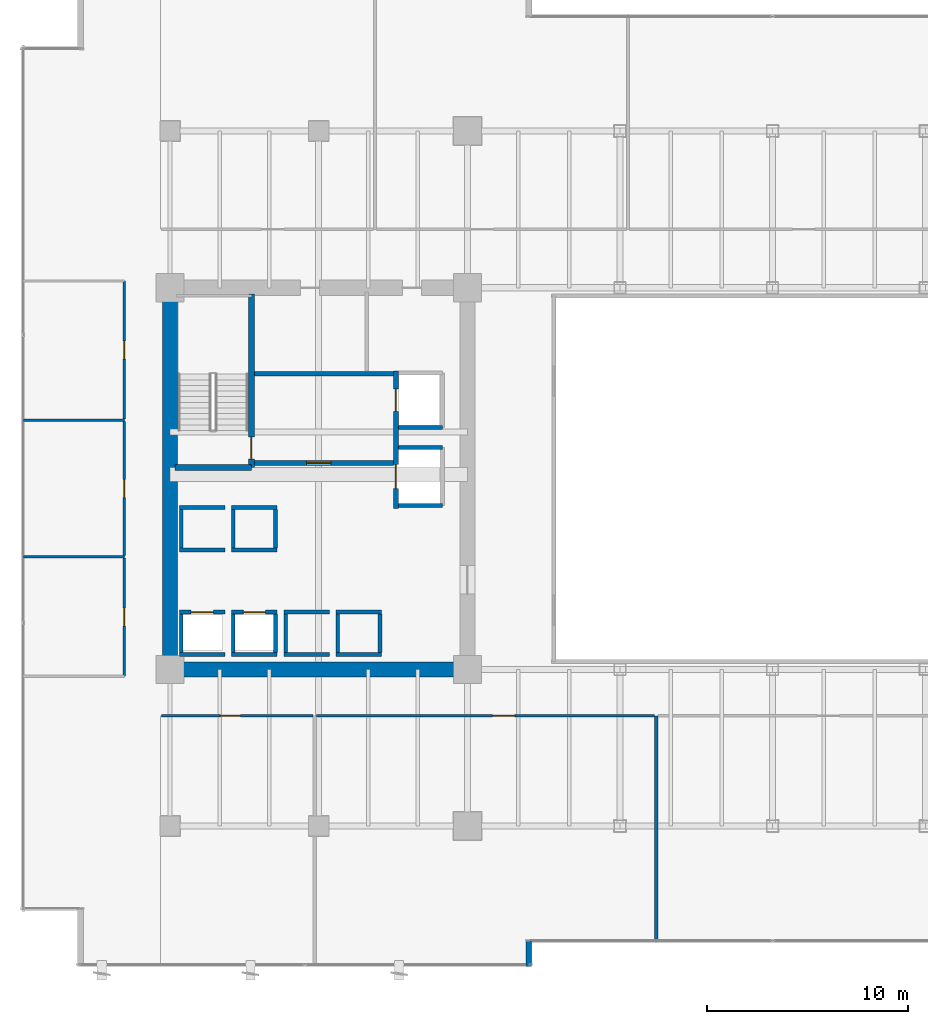
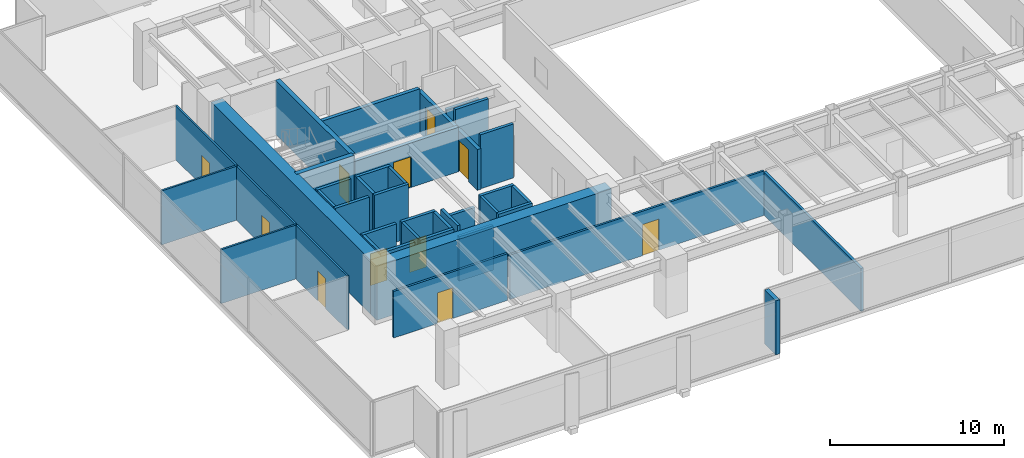
# One storey, part 29 of 37: 40 walls, 11 doors, 11 openings.
"""IFC4 building model written with IfcOpenShell, lengths in metres."""

from ifc_helpers import new_model, si_unit, direction, frame, frame_2d, origin, place, context, subcontext, project, spatial, rectangle, extrude, source, transform, mapped, material, layer, layer_set, type_object, type_shapes, element, fill, save


model = new_model("IFC4")

# Units and contexts
model_context = context("Model", 3, precision=1e-05, world=origin(), true_north=direction((0.0, 1.0)))
body_context = subcontext(model_context, "Body", "Model", "MODEL_VIEW")
ifc_project = project(units=[si_unit("LENGTHUNIT", "METRE"), si_unit("AREAUNIT", "SQUARE_METRE"), si_unit("VOLUMEUNIT", "CUBIC_METRE"), si_unit("PLANEANGLEUNIT", "RADIAN"), si_unit("MASSUNIT", "GRAM", prefix="KILO")], contexts=[model_context])

# Site, building, storey
site_placement = place(None, origin())
site = spatial("IfcSite", under=ifc_project, at=site_placement, CompositionType="ELEMENT")
building_placement = place(site_placement, origin())
building = spatial("IfcBuilding", under=site, at=building_placement, Name="Haelvirn Gate Laboratories", CompositionType="ELEMENT")
storey_placement = place(building_placement, frame((0.0, 0.0, 74.39990234375)))
storey = spatial("IfcBuildingStorey", under=building, at=storey_placement, Name="L18", CompositionType="ELEMENT", Elevation=74.39990234375)

# Walls
ifc_material_1 = material(Name="Thermally-broken bronze aluminium rainscreen & mineral wool", Category="aluminium")
ifc_layer_1 = layer(ifc_material_1, 0.280029296875, Name="EW-TERR-280")
ifc_layer_set_1 = layer_set([ifc_layer_1], Name="Thermally-broken bronze aluminium rainscreen & mineral wool")
wall_type_1 = type_object("IfcWallType", Name="EW-TERR-280", PredefinedType="STANDARD", material=ifc_layer_set_1)
wall_1_placement = place(storey_placement, frame((25.260009765625, 0.0, 0.0), z_axis=(0.0, 0.0, 1.0), x_axis=(0.0, 1.0, 0.0)))
element("IfcWall", 1, at=wall_1_placement, inside=storey, type_object=wall_type_1, Name="L18 Atrium Recess Bronze Return Wall 01", PredefinedType="STANDARD", context=body_context, shape_type="SweptSolid", body=[
    extrude(rectangle(XDim=1.2880859375, YDim=0.280029296875, at=frame_2d((0.64404296875, 0.0))), origin(), (0.0, 0.0, 1.0), 3.780029296875),
])
ifc_material_2 = material(Name="Double-layer acoustic gypsum laboratory partition", Category="gypsum")
ifc_layer_2 = layer(ifc_material_2, 0.159912109375, Name="IW-ACOUST-160")
ifc_layer_set_2 = layer_set([ifc_layer_2], Name="Double-layer acoustic gypsum laboratory partition")
wall_type_2 = type_object("IfcWallType", Name="IW-ACOUST-160", PredefinedType="PARTITIONING", material=ifc_layer_set_2)
wall_2_placement = place(storey_placement, frame((31.60009765625, 1.31005859375, 0.0), z_axis=(0.0, 0.0, 1.0), x_axis=(0.0, 1.0, 0.0)))
element("IfcWall", 2, at=wall_2_placement, inside=storey, type_object=wall_type_2, Name="L18 Interior Wall IW-L18-SDIV-02", PredefinedType="PARTITIONING", context=body_context, shape_type="SweptSolid", body=[
    extrude(rectangle(XDim=11.179931640625, YDim=0.159912109375, at=frame_2d((5.58984375, 0.0))), origin(), (0.0, 0.0, 1.0), 3.01513671875),
])

# Wall, opening, door
ifc_material_3 = material(Name="Lightweight acoustic gypsum board partition", Category="gypsum")
ifc_layer_3 = layer(ifc_material_3, 0.1201171875, Name="IW-PART-120")
ifc_layer_set_3 = layer_set([ifc_layer_3], Name="Lightweight acoustic gypsum board partition")
wall_type_3 = type_object("IfcWallType", Name="IW-PART-120", PredefinedType="PARTITIONING", material=ifc_layer_set_3)
wall_3_placement = place(storey_placement, frame((5.1298828125, 14.465087890625, 0.0), z_axis=(0.0, 0.0, 1.0), x_axis=(0.0, 1.0, 0.0)))
wall_3 = element("IfcWall", 3, at=wall_3_placement, inside=storey, type_object=wall_type_3, Name="L18 Interior Wall IW-L18-WPASS-01", PredefinedType="PARTITIONING", context=body_context, shape_type="SweptSolid", body=[
    extrude(rectangle(XDim=5.875, YDim=0.1201171875, at=frame_2d((2.9375, 0.0))), origin(), (0.0, 0.0, 1.0), 3.780029296875),
])
opening_1_placement = place(wall_3_placement, frame((2.487548828125, 0.0, 0.0)))
opening_1 = element("IfcOpeningElement", 4, at=opening_1_placement, cuts=wall_3, Name="Opening D4", PredefinedType="OPENING", context=body_context, shape_type="SweptSolid", body=[
    extrude(rectangle(XDim=0.89990234375, YDim=2.10009765625, at=frame_2d((0.449951171875, 1.050048828125))), frame((0.0, 0.070068359375, 0.0), z_axis=(0.0, -1.0, 0.0), x_axis=(1.0, 0.0, 0.0)), (0.0, 0.0, 1.0), 0.14013671875),
])
ifc_material_4 = material(Name="Glazed aluminium-framed write-up door", Category="aluminium")
door_type_1 = type_object("IfcDoorType", Name="DR-OFF-900", OperationType="NOTDEFINED", PredefinedType="DOOR", material=ifc_material_4)
shared_shape_1 = source(origin(), body_context, "Body", "SweptSolid", [
    extrude(rectangle(XDim=0.89990234375, YDim=2.10009765625, at=frame_2d((0.449951171875, 1.050048828125))), frame((0.0, 0.02490234375, 0.0), z_axis=(0.0, -1.0, 0.0), x_axis=(1.0, 0.0, 0.0)), (0.0, 0.0, 1.0), 0.050048828125),
])
type_shapes(door_type_1, [shared_shape_1])
door_1_placement = place(opening_1_placement, origin())
door_1 = element("IfcDoor", 5, at=door_1_placement, inside=storey, type_object=door_type_1, Name="L18 Genomics Assay Laboratory Door W1", OperationType="SINGLE_SWING_LEFT", OverallHeight=2.10009765625, OverallWidth=0.89990234375, PredefinedType="DOOR", context=body_context, shape_type="MappedRepresentation", body=[
    mapped(shared_shape_1, transform((0.0, 0.0, 0.0), scale=1.0)),
])
fill(opening_1, door_1)

# Wall
wall_4_placement = place(storey_placement, frame((0.110107421875, 20.39990234375, 0.0), z_axis=(0.0, 0.0, 1.0), x_axis=(1.0, 0.0, 0.0)))
element("IfcWall", 6, at=wall_4_placement, inside=storey, type_object=wall_type_3, Name="L18 Interior Wall IW-L18-WDIV-01", PredefinedType="PARTITIONING", context=body_context, shape_type="SweptSolid", body=[
    extrude(rectangle(XDim=5.019775390625, YDim=0.1201171875, at=frame_2d((2.509765625, 0.0))), origin(), (0.0, 0.0, 1.0), 3.780029296875),
])

# Wall, opening, door
wall_5_placement = place(storey_placement, frame((5.1298828125, 20.4599609375, 0.0), z_axis=(0.0, 0.0, 1.0), x_axis=(0.0, 1.0, 0.0)))
wall_5 = element("IfcWall", 7, at=wall_5_placement, inside=storey, type_object=wall_type_3, Name="L18 Interior Wall IW-L18-WPASS-02", PredefinedType="PARTITIONING", context=body_context, shape_type="SweptSolid", body=[
    extrude(rectangle(XDim=6.679931640625, YDim=0.1201171875, at=frame_2d((3.33984375, 0.0))), origin(), (0.0, 0.0, 1.0), 3.780029296875),
])
opening_2_placement = place(wall_5_placement, frame((2.889892578125, 0.0, 0.0)))
opening_2 = element("IfcOpeningElement", 8, at=opening_2_placement, cuts=wall_5, Name="Opening D4", PredefinedType="OPENING", context=body_context, shape_type="SweptSolid", body=[
    extrude(rectangle(XDim=0.89990234375, YDim=2.10009765625, at=frame_2d((0.449951171875, 1.050048828125))), frame((0.0, 0.070068359375, 0.0), z_axis=(0.0, -1.0, 0.0), x_axis=(1.0, 0.0, 0.0)), (0.0, 0.0, 1.0), 0.14013671875),
])
door_2_placement = place(opening_2_placement, origin())
door_2 = element("IfcDoor", 9, at=door_2_placement, inside=storey, type_object=door_type_1, Name="L18 Proteomics Mass-Spec Laboratory Door W2", OperationType="SINGLE_SWING_RIGHT", OverallHeight=2.10009765625, OverallWidth=0.89990234375, PredefinedType="DOOR", context=body_context, shape_type="MappedRepresentation", body=[
    mapped(shared_shape_1, transform((0.0, 0.0, 0.0), scale=1.0)),
])
fill(opening_2, door_2)

# Wall
wall_6_placement = place(storey_placement, frame((0.110107421875, 27.199951171875, 0.0), z_axis=(0.0, 0.0, 1.0), x_axis=(1.0, 0.0, 0.0)))
element("IfcWall", 10, at=wall_6_placement, inside=storey, type_object=wall_type_3, Name="L18 Interior Wall IW-L18-WDIV-02", PredefinedType="PARTITIONING", context=body_context, shape_type="SweptSolid", body=[
    extrude(rectangle(XDim=5.019775390625, YDim=0.1201171875, at=frame_2d((2.509765625, 0.0))), origin(), (0.0, 0.0, 1.0), 3.780029296875),
])

# Wall, opening, door
wall_7_placement = place(storey_placement, frame((5.1298828125, 27.260009765625, 0.0), z_axis=(0.0, 0.0, 1.0), x_axis=(0.0, 1.0, 0.0)))
wall_7 = element("IfcWall", 11, at=wall_7_placement, inside=storey, type_object=wall_type_3, Name="L18 Interior Wall IW-L18-WPASS-03", PredefinedType="PARTITIONING", context=body_context, shape_type="SweptSolid", body=[
    extrude(rectangle(XDim=6.875, YDim=0.1201171875, at=frame_2d((3.4375, 0.0))), origin(), (0.0, 0.0, 1.0), 3.780029296875),
])
opening_3_placement = place(wall_7_placement, frame((2.987548828125, 0.0, 0.0)))
opening_3 = element("IfcOpeningElement", 12, at=opening_3_placement, cuts=wall_7, Name="Opening D4", PredefinedType="OPENING", context=body_context, shape_type="SweptSolid", body=[
    extrude(rectangle(XDim=0.89990234375, YDim=2.10009765625, at=frame_2d((0.449951171875, 1.050048828125))), frame((0.0, 0.070068359375, 0.0), z_axis=(0.0, -1.0, 0.0), x_axis=(1.0, 0.0, 0.0)), (0.0, 0.0, 1.0), 0.14013671875),
])
door_3_placement = place(opening_3_placement, origin())
door_3 = element("IfcDoor", 13, at=door_3_placement, inside=storey, type_object=door_type_1, Name="L18 Chemical Synthesis Laboratory Door W3", OperationType="SINGLE_SWING_LEFT", OverallHeight=2.10009765625, OverallWidth=0.89990234375, PredefinedType="DOOR", context=body_context, shape_type="MappedRepresentation", body=[
    mapped(shared_shape_1, transform((0.0, 0.0, 0.0), scale=1.0)),
])
fill(opening_3, door_3)

ifc_material_5 = material(Name="Acoustic mineral-wool gypsum board partition", Category="gypsum")
ifc_layer_4 = layer(ifc_material_5, 0.139892578125, Name="IW-PART-140")
ifc_layer_set_4 = layer_set([ifc_layer_4], Name="Acoustic mineral-wool gypsum board partition")
wall_type_4 = type_object("IfcWallType", Name="IW-PART-140", PredefinedType="PARTITIONING", material=ifc_layer_set_4)
wall_8_placement = place(storey_placement, frame((6.97998046875, 12.489990234375, 0.0), z_axis=(0.0, 0.0, 1.0), x_axis=(1.0, 0.0, 0.0)))
wall_8 = element("IfcWall", 14, at=wall_8_placement, inside=storey, type_object=wall_type_4, Name="L18 Interior Wall IW-L18-SCORR-01", PredefinedType="PARTITIONING", context=body_context, shape_type="SweptSolid", body=[
    extrude(rectangle(XDim=7.5400390625, YDim=0.139892578125, at=frame_2d((3.77001953125, 0.0))), origin(), (0.0, 0.0, 1.0), 3.26513671875),
])
opening_4_placement = place(wall_8_placement, frame((2.919677734375, 0.0, 0.0)))
opening_4 = element("IfcOpeningElement", 15, at=opening_4_placement, cuts=wall_8, Name="Opening D2", PredefinedType="OPENING", context=body_context, shape_type="SweptSolid", body=[
    extrude(rectangle(XDim=1.0, YDim=2.14990234375, at=frame_2d((0.5, 1.074951171875))), frame((0.0, 0.080078125, 0.0), z_axis=(0.0, -1.0, 0.0), x_axis=(1.0, 0.0, 0.0)), (0.0, 0.0, 1.0), 0.159912109375),
])
ifc_material_6 = material(Name="Acoustic solid-core timber suite door", Category="wood")
door_type_2 = type_object("IfcDoorType", Name="DR-INT-1000", OperationType="NOTDEFINED", PredefinedType="DOOR", material=ifc_material_6)
shared_shape_2 = source(origin(), body_context, "Body", "SweptSolid", [
    extrude(rectangle(XDim=1.0, YDim=2.14990234375, at=frame_2d((0.5, 1.074951171875))), frame((0.0, 0.02490234375, 0.0), z_axis=(0.0, -1.0, 0.0), x_axis=(1.0, 0.0, 0.0)), (0.0, 0.0, 1.0), 0.050048828125),
])
type_shapes(door_type_2, [shared_shape_2])
door_4_placement = place(opening_4_placement, origin())
door_4 = element("IfcDoor", 16, at=door_4_placement, inside=storey, type_object=door_type_2, Name="L18 Peer-Review Seminar Room Door S1", OperationType="SINGLE_SWING_LEFT", OverallHeight=2.14990234375, OverallWidth=1.0, PredefinedType="DOOR", context=body_context, shape_type="MappedRepresentation", body=[
    mapped(shared_shape_2, transform((0.0, 0.0, 0.0), scale=1.0)),
])
fill(opening_4, door_4)

wall_9_placement = place(storey_placement, frame((14.679931640625, 12.489990234375, 0.0), z_axis=(0.0, 0.0, 1.0), x_axis=(1.0, 0.0, 0.0)))
wall_9 = element("IfcWall", 17, at=wall_9_placement, inside=storey, type_object=wall_type_4, Name="L18 Interior Wall IW-L18-SCORR-02", PredefinedType="PARTITIONING", context=body_context, shape_type="SweptSolid", body=[
    extrude(rectangle(XDim=16.840087890625, YDim=0.139892578125, at=frame_2d((8.419921875, 0.0))), origin(), (0.0, 0.0, 1.0), 3.114990234375),
])
opening_5_placement = place(wall_9_placement, frame((8.7724609375, 0.0, 0.0)))
opening_5 = element("IfcOpeningElement", 18, at=opening_5_placement, cuts=wall_9, Name="Opening D1", PredefinedType="OPENING", context=body_context, shape_type="SweptSolid", body=[
    extrude(rectangle(XDim=1.10009765625, YDim=2.179931640625, at=frame_2d((0.550048828125, 1.08984375))), frame((0.0, 0.080078125, 0.0), z_axis=(0.0, -1.0, 0.0), x_axis=(1.0, 0.0, 0.0)), (0.0, 0.0, 1.0), 0.159912109375),
])
ifc_material_7 = material(Name="Vision-panel acoustic solid-core timber lab door", Category="wood")
door_type_3 = type_object("IfcDoorType", Name="DR-LAB-1100", OperationType="NOTDEFINED", PredefinedType="DOOR", material=ifc_material_7)
shared_shape_3 = source(origin(), body_context, "Body", "SweptSolid", [
    extrude(rectangle(XDim=1.10009765625, YDim=2.179931640625, at=frame_2d((0.550048828125, 1.08984375))), frame((0.0, 0.02490234375, 0.0), z_axis=(0.0, -1.0, 0.0), x_axis=(1.0, 0.0, 0.0)), (0.0, 0.0, 1.0), 0.050048828125),
])
type_shapes(door_type_3, [shared_shape_3])
door_5_placement = place(opening_5_placement, origin())
door_5 = element("IfcDoor", 19, at=door_5_placement, inside=storey, type_object=door_type_3, Name="L18 Colloquium Conference Room Door S2", OperationType="SINGLE_SWING_RIGHT", OverallHeight=2.179931640625, OverallWidth=1.10009765625, PredefinedType="DOOR", context=body_context, shape_type="MappedRepresentation", body=[
    mapped(shared_shape_3, transform((0.0, 0.0, 0.0), scale=1.0)),
])
fill(opening_5, door_5)

# Walls
ifc_material_8 = material(Name="Concrete C40/50", Category="concrete")
ifc_layer_5 = layer(ifc_material_8, 0.179931640625, Name="IW-SHAFT-180")
ifc_layer_set_5 = layer_set([ifc_layer_5], Name="Concrete C40/50")
wall_type_5 = type_object("IfcWallType", Name="IW-SHAFT-180", PredefinedType="SOLIDWALL", material=ifc_layer_set_5)
for number, where, z_axis, x_axis, name in (
    (20, (7.949951171875, 15.64990234375, 0.0), (0.0, 0.0, 1.0), (0.0, 1.0, 0.0), "L18 Interior Wall IW-L18-PL1-SD"),
    (21, (10.550048828125, 15.64990234375, 0.0), (0.0, 0.0, 1.0), (0.0, 1.0, 0.0), "L18 Interior Wall IW-L18-PL2-SD"),
    (22, (12.64990234375, 15.64990234375, 0.0), (0.0, 0.0, 1.0), (0.0, 1.0, 0.0), "L18 Interior Wall IW-L18-PL2-SDE"),
    (23, (13.14990234375, 15.64990234375, 0.0), (0.0, 0.0, 1.0), (0.0, 1.0, 0.0), "L18 Interior Wall IW-L18-PL5-SD"),
    (24, (15.75, 15.64990234375, 0.0), (0.0, 0.0, 1.0), (0.0, 1.0, 0.0), "L18 Interior Wall IW-L18-PL6-SD"),
    (25, (17.85009765625, 15.64990234375, 0.0), (0.0, 0.0, 1.0), (0.0, 1.0, 0.0), "L18 Interior Wall IW-L18-PL6-SDE"),
):
    element("IfcWall", number, at=place(storey_placement, frame(where, z_axis=z_axis, x_axis=x_axis)), inside=storey, type_object=wall_type_5, Name=name, PredefinedType="SOLIDWALL", context=body_context, shape_type="SweptSolid", body=[
        extrude(rectangle(XDim=1.900146484375, YDim=0.179931640625, at=frame_2d((0.9501953125, 0.0))), origin(), (0.0, 0.0, 1.0), 3.780029296875),
    ])
for number, where, z_axis, x_axis, name in (
    (26, (7.949951171875, 20.85009765625, 0.0), (0.0, 0.0, 1.0), (0.0, 1.0, 0.0), "L18 Interior Wall IW-L18-PL9-SD"),
    (27, (10.550048828125, 20.85009765625, 0.0), (0.0, 0.0, 1.0), (0.0, 1.0, 0.0), "L18 Interior Wall IW-L18-PL10-SD"),
    (28, (12.64990234375, 20.85009765625, 0.0), (0.0, 0.0, 1.0), (0.0, 1.0, 0.0), "L18 Interior Wall IW-L18-PL10-SDE"),
):
    element("IfcWall", number, at=place(storey_placement, frame(where, z_axis=z_axis, x_axis=x_axis)), inside=storey, type_object=wall_type_5, Name=name, PredefinedType="SOLIDWALL", context=body_context, shape_type="SweptSolid", body=[
        extrude(rectangle(XDim=1.89990234375, YDim=0.179931640625, at=frame_2d((0.949951171875, 0.0))), origin(), (0.0, 0.0, 1.0), 3.780029296875),
    ])

# Wall, opening, door
ifc_layer_6 = layer(ifc_material_8, 0.199951171875, Name="IW-SHAFT-200")
ifc_layer_set_6 = layer_set([ifc_layer_6], Name="Concrete C40/50")
wall_type_6 = type_object("IfcWallType", Name="IW-SHAFT-200", PredefinedType="SOLIDWALL", material=ifc_layer_set_6)
wall_10_placement = place(storey_placement, frame((7.8701171875, 17.64990234375, 0.0), z_axis=(0.0, 0.0, 1.0), x_axis=(1.0, 0.0, 0.0)))
wall_10 = element("IfcWall", 29, at=wall_10_placement, inside=storey, type_object=wall_type_6, Name="L18 Interior Wall IW-L18-PL1-FR", PredefinedType="SOLIDWALL", context=body_context, shape_type="SweptSolid", body=[
    extrude(rectangle(XDim=2.259765625, YDim=0.199951171875, at=frame_2d((1.1298828125, 0.0))), origin(), (0.0, 0.0, 1.0), 3.780029296875),
])
opening_6_placement = place(wall_10_placement, frame((0.580078125, 0.0, 0.0)))
opening_6 = element("IfcOpeningElement", 30, at=opening_6_placement, cuts=wall_10, Name="Opening LD2", PredefinedType="OPENING", context=body_context, shape_type="SweptSolid", body=[
    extrude(rectangle(XDim=1.10009765625, YDim=2.219970703125, at=frame_2d((0.550048828125, 1.10986328125))), frame((0.0, 0.10986328125, 0.0), z_axis=(0.0, -1.0, 0.0), x_axis=(1.0, 0.0, 0.0)), (0.0, 0.0, 1.0), 0.219970703125),
])
ifc_material_9 = material(Name="Bronze stainless 316L sliding lift landing door")
door_type_4 = type_object("IfcDoorType", Name="DR-LD-1100", OperationType="NOTDEFINED", PredefinedType="USERDEFINED", material=ifc_material_9)
shared_shape_4 = source(origin(), body_context, "Body", "SweptSolid", [
    extrude(rectangle(XDim=1.10009765625, YDim=2.219970703125, at=frame_2d((0.550048828125, 1.10986328125))), frame((0.0, 0.02490234375, 0.0), z_axis=(0.0, -1.0, 0.0), x_axis=(1.0, 0.0, 0.0)), (0.0, 0.0, 1.0), 0.050048828125),
])
type_shapes(door_type_4, [shared_shape_4])
door_6_placement = place(opening_6_placement, origin())
door_6 = element("IfcDoor", 31, at=door_6_placement, inside=storey, type_object=door_type_4, Name="L18 Passenger Lift PL1 Landing Door", ObjectType="LANDING_DOOR", OperationType="SLIDING_TO_LEFT", OverallHeight=2.219970703125, OverallWidth=1.10009765625, PredefinedType="USERDEFINED", context=body_context, shape_type="MappedRepresentation", body=[
    mapped(shared_shape_4, transform((0.0, 0.0, 0.0), scale=1.0)),
])
fill(opening_6, door_6)

# Wall
wall_11_placement = place(storey_placement, frame((7.8701171875, 15.550048828125, 0.0), z_axis=(0.0, 0.0, 1.0), x_axis=(1.0, 0.0, 0.0)))
element("IfcWall", 32, at=wall_11_placement, inside=storey, type_object=wall_type_6, Name="L18 Interior Wall IW-L18-PL1-BK", PredefinedType="SOLIDWALL", context=body_context, shape_type="SweptSolid", body=[
    extrude(rectangle(XDim=2.259765625, YDim=0.199951171875, at=frame_2d((1.1298828125, 0.0))), origin(), (0.0, 0.0, 1.0), 3.780029296875),
])

# Wall, opening, door
wall_12_placement = place(storey_placement, frame((10.469970703125, 17.64990234375, 0.0), z_axis=(0.0, 0.0, 1.0), x_axis=(1.0, 0.0, 0.0)))
wall_12 = element("IfcWall", 33, at=wall_12_placement, inside=storey, type_object=wall_type_6, Name="L18 Interior Wall IW-L18-PL2-FR", PredefinedType="SOLIDWALL", context=body_context, shape_type="SweptSolid", body=[
    extrude(rectangle(XDim=2.260009765625, YDim=0.199951171875, at=frame_2d((1.1298828125, 0.0))), origin(), (0.0, 0.0, 1.0), 3.780029296875),
])
opening_7_placement = place(wall_12_placement, frame((0.580078125, 0.0, 0.0)))
opening_7 = element("IfcOpeningElement", 34, at=opening_7_placement, cuts=wall_12, Name="Opening LD2", PredefinedType="OPENING", context=body_context, shape_type="SweptSolid", body=[
    extrude(rectangle(XDim=1.10009765625, YDim=2.219970703125, at=frame_2d((0.550048828125, 1.10986328125))), frame((0.0, 0.10986328125, 0.0), z_axis=(0.0, -1.0, 0.0), x_axis=(1.0, 0.0, 0.0)), (0.0, 0.0, 1.0), 0.219970703125),
])
door_7_placement = place(opening_7_placement, origin())
door_7 = element("IfcDoor", 35, at=door_7_placement, inside=storey, type_object=door_type_4, Name="L18 Passenger Lift PL2 Landing Door", ObjectType="LANDING_DOOR", OperationType="SLIDING_TO_RIGHT", OverallHeight=2.219970703125, OverallWidth=1.10009765625, PredefinedType="USERDEFINED", context=body_context, shape_type="MappedRepresentation", body=[
    mapped(shared_shape_4, transform((0.0, 0.0, 0.0), scale=1.0)),
])
fill(opening_7, door_7)

# Walls
wall_13_placement = place(storey_placement, frame((10.469970703125, 15.550048828125, 0.0), z_axis=(0.0, 0.0, 1.0), x_axis=(1.0, 0.0, 0.0)))
element("IfcWall", 36, at=wall_13_placement, inside=storey, type_object=wall_type_6, Name="L18 Interior Wall IW-L18-PL2-BK", PredefinedType="SOLIDWALL", context=body_context, shape_type="SweptSolid", body=[
    extrude(rectangle(XDim=2.260009765625, YDim=0.199951171875, at=frame_2d((1.1298828125, 0.0))), origin(), (0.0, 0.0, 1.0), 3.780029296875),
])
for number, where, z_axis, x_axis, name in (
    (37, (13.070068359375, 17.64990234375, 0.0), (0.0, 0.0, 1.0), (1.0, 0.0, 0.0), "L18 Interior Wall IW-L18-PL5-FR"),
    (38, (13.070068359375, 15.550048828125, 0.0), (0.0, 0.0, 1.0), (1.0, 0.0, 0.0), "L18 Interior Wall IW-L18-PL5-BK"),
):
    element("IfcWall", number, at=place(storey_placement, frame(where, z_axis=z_axis, x_axis=x_axis)), inside=storey, type_object=wall_type_6, Name=name, PredefinedType="SOLIDWALL", context=body_context, shape_type="SweptSolid", body=[
        extrude(rectangle(XDim=2.260009765625, YDim=0.199951171875, at=frame_2d((1.1298828125, 0.0))), origin(), (0.0, 0.0, 1.0), 3.114990234375),
    ])
for number, where, z_axis, x_axis, name in (
    (39, (15.669921875, 17.64990234375, 0.0), (0.0, 0.0, 1.0), (1.0, 0.0, 0.0), "L18 Interior Wall IW-L18-PL6-FR"),
    (40, (15.669921875, 15.550048828125, 0.0), (0.0, 0.0, 1.0), (1.0, 0.0, 0.0), "L18 Interior Wall IW-L18-PL6-BK"),
):
    element("IfcWall", number, at=place(storey_placement, frame(where, z_axis=z_axis, x_axis=x_axis)), inside=storey, type_object=wall_type_6, Name=name, PredefinedType="SOLIDWALL", context=body_context, shape_type="SweptSolid", body=[
        extrude(rectangle(XDim=2.260009765625, YDim=0.199951171875, at=frame_2d((1.1298828125, 0.0))), origin(), (0.0, 0.0, 1.0), 3.780029296875),
    ])
for number, where, z_axis, x_axis, name in (
    (41, (7.8701171875, 20.75, 0.0), (0.0, 0.0, 1.0), (1.0, 0.0, 0.0), "L18 Interior Wall IW-L18-PL9-FR"),
    (42, (7.8701171875, 22.85009765625, 0.0), (0.0, 0.0, 1.0), (1.0, 0.0, 0.0), "L18 Interior Wall IW-L18-PL9-BK"),
):
    element("IfcWall", number, at=place(storey_placement, frame(where, z_axis=z_axis, x_axis=x_axis)), inside=storey, type_object=wall_type_6, Name=name, PredefinedType="SOLIDWALL", context=body_context, shape_type="SweptSolid", body=[
        extrude(rectangle(XDim=2.259765625, YDim=0.199951171875, at=frame_2d((1.1298828125, 0.0))), origin(), (0.0, 0.0, 1.0), 3.780029296875),
    ])
for number, where, z_axis, x_axis, name in (
    (43, (10.469970703125, 20.75, 0.0), (0.0, 0.0, 1.0), (1.0, 0.0, 0.0), "L18 Interior Wall IW-L18-PL10-FR"),
    (44, (10.469970703125, 22.85009765625, 0.0), (0.0, 0.0, 1.0), (1.0, 0.0, 0.0), "L18 Interior Wall IW-L18-PL10-BK"),
):
    element("IfcWall", number, at=place(storey_placement, frame(where, z_axis=z_axis, x_axis=x_axis)), inside=storey, type_object=wall_type_6, Name=name, PredefinedType="SOLIDWALL", context=body_context, shape_type="SweptSolid", body=[
        extrude(rectangle(XDim=2.260009765625, YDim=0.199951171875, at=frame_2d((1.1298828125, 0.0))), origin(), (0.0, 0.0, 1.0), 3.780029296875),
    ])
wall_14_placement = place(storey_placement, frame((18.760009765625, 26.85009765625, 0.0), z_axis=(0.0, 0.0, 1.0), x_axis=(1.0, 0.0, 0.0)))
element("IfcWall", 45, at=wall_14_placement, inside=storey, type_object=wall_type_6, Name="L18 Interior Wall IW-L18-FL1-S", PredefinedType="SOLIDWALL", context=body_context, shape_type="SweptSolid", body=[
    extrude(rectangle(XDim=2.18994140625, YDim=0.199951171875, at=frame_2d((1.094970703125, 0.0))), origin(), (0.0, 0.0, 1.0), 3.177001953125),
])
for number, where, z_axis, x_axis, name in (
    (46, (18.760009765625, 25.85009765625, 0.0), (0.0, 0.0, 1.0), (1.0, 0.0, 0.0), "L18 Interior Wall IW-L18-SL1-N"),
    (47, (18.760009765625, 22.949951171875, 0.0), (0.0, 0.0, 1.0), (1.0, 0.0, 0.0), "L18 Interior Wall IW-L18-SL1-S"),
):
    element("IfcWall", number, at=place(storey_placement, frame(where, z_axis=z_axis, x_axis=x_axis)), inside=storey, type_object=wall_type_6, Name=name, PredefinedType="SOLIDWALL", context=body_context, shape_type="SweptSolid", body=[
        extrude(rectangle(XDim=2.18994140625, YDim=0.199951171875, at=frame_2d((1.094970703125, 0.0))), origin(), (0.0, 0.0, 1.0), 3.780029296875),
    ])

# Wall, opening, door
ifc_layer_7 = layer(ifc_material_8, 0.239990234375, Name="IW-SHAFT-240")
ifc_layer_set_7 = layer_set([ifc_layer_7], Name="Concrete C40/50")
wall_type_7 = type_object("IfcWallType", Name="IW-SHAFT-240", PredefinedType="SOLIDWALL", material=ifc_layer_set_7)
wall_15_placement = place(storey_placement, frame((11.60009765625, 25.080078125, 0.0), z_axis=(0.0, 0.0, 1.0), x_axis=(1.0, 0.0, 0.0)))
wall_15 = element("IfcWall", 48, at=wall_15_placement, inside=storey, type_object=wall_type_7, Name="L18 Interior Wall IW-L18-W-FF-S", PredefinedType="SOLIDWALL", context=body_context, shape_type="SweptSolid", body=[
    extrude(rectangle(XDim=6.919921875, YDim=0.239990234375, at=frame_2d((3.4599609375, 0.0))), origin(), (0.0, 0.0, 1.0), 3.114990234375),
])
opening_8_placement = place(wall_15_placement, frame((2.60009765625, 0.0, 0.0)))
opening_8 = element("IfcOpeningElement", 49, at=opening_8_placement, cuts=wall_15, Name="Opening FD2", PredefinedType="OPENING", context=body_context, shape_type="SweptSolid", body=[
    extrude(rectangle(XDim=1.199951171875, YDim=2.159912109375, at=frame_2d((0.60009765625, 1.080078125))), frame((0.0, 0.1298828125, 0.0), z_axis=(0.0, -1.0, 0.0), x_axis=(1.0, 0.0, 0.0)), (0.0, 0.0, 1.0), 0.260009765625),
])
ifc_material_10 = material(Name="Fire-rated steel SM355 compartment door", Category="steel")
door_type_5 = type_object("IfcDoorType", Name="DR-FD-1200", OperationType="NOTDEFINED", PredefinedType="DOOR", material=ifc_material_10)
shared_shape_5 = source(origin(), body_context, "Body", "SweptSolid", [
    extrude(rectangle(XDim=1.199951171875, YDim=2.159912109375, at=frame_2d((0.60009765625, 1.080078125))), frame((0.0, 0.02490234375, 0.0), z_axis=(0.0, -1.0, 0.0), x_axis=(1.0, 0.0, 0.0)), (0.0, 0.0, 1.0), 0.050048828125),
])
type_shapes(door_type_5, [shared_shape_5])
door_8_placement = place(opening_8_placement, origin())
door_8 = element("IfcDoor", 50, at=door_8_placement, inside=storey, type_object=door_type_5, Name="L18 West Firefighting Lobby Door", OperationType="SINGLE_SWING_RIGHT", OverallHeight=2.159912109375, OverallWidth=1.199951171875, PredefinedType="DOOR", context=body_context, shape_type="MappedRepresentation", body=[
    mapped(shared_shape_5, transform((0.0, 0.0, 0.0), scale=1.0)),
])
fill(opening_8, door_8)

# Wall
wall_16_placement = place(storey_placement, frame((11.60009765625, 29.52001953125, 0.0), z_axis=(0.0, 0.0, 1.0), x_axis=(1.0, 0.0, 0.0)))
element("IfcWall", 51, at=wall_16_placement, inside=storey, type_object=wall_type_7, Name="L18 Interior Wall IW-L18-W-FF-N", PredefinedType="SOLIDWALL", context=body_context, shape_type="SweptSolid", body=[
    extrude(rectangle(XDim=6.919921875, YDim=0.239990234375, at=frame_2d((3.4599609375, 0.0))), origin(), (0.0, 0.0, 1.0), 3.114990234375),
])

# Wall, openings, doors
wall_17_placement = place(storey_placement, frame((18.639892578125, 22.800048828125, 0.0), z_axis=(0.0, 0.0, 1.0), x_axis=(0.0, 1.0, 0.0)))
wall_17 = element("IfcWall", 52, at=wall_17_placement, inside=storey, type_object=wall_type_7, Name="L18 Interior Wall IW-L18-W-FF-E", PredefinedType="SOLIDWALL", context=body_context, shape_type="SweptSolid", body=[
    extrude(rectangle(XDim=6.849853515625, YDim=0.239990234375, at=frame_2d((3.4248046875, 0.0))), origin(), (0.0, 0.0, 1.0), 2.864990234375),
])
opening_9_placement = place(wall_17_placement, frame((4.85009765625, 0.0, 0.0)))
opening_9 = element("IfcOpeningElement", 53, at=opening_9_placement, cuts=wall_17, Name="Opening LD2", PredefinedType="OPENING", context=body_context, shape_type="SweptSolid", body=[
    extrude(rectangle(XDim=1.10009765625, YDim=2.219970703125, at=frame_2d((0.550048828125, 1.10986328125))), frame((0.0, 0.1298828125, 0.0), z_axis=(0.0, -1.0, 0.0), x_axis=(1.0, 0.0, 0.0)), (0.0, 0.0, 1.0), 0.260009765625),
])
opening_10_placement = place(wall_17_placement, frame((1.0, 0.0, 0.0)))
opening_10 = element("IfcOpeningElement", 54, at=opening_10_placement, cuts=wall_17, Name="Opening LD1", PredefinedType="OPENING", context=body_context, shape_type="SweptSolid", body=[
    extrude(rectangle(XDim=1.199951171875, YDim=2.219970703125, at=frame_2d((0.60009765625, 1.10986328125))), frame((0.0, 0.1298828125, 0.0), z_axis=(0.0, -1.0, 0.0), x_axis=(1.0, 0.0, 0.0)), (0.0, 0.0, 1.0), 0.260009765625),
])
door_9_placement = place(opening_9_placement, origin())
door_9 = element("IfcDoor", 55, at=door_9_placement, inside=storey, type_object=door_type_4, Name="L18 Firefighting Lift FL1 Landing Door", ObjectType="LANDING_DOOR", OperationType="SLIDING_TO_LEFT", OverallHeight=2.219970703125, OverallWidth=1.10009765625, PredefinedType="USERDEFINED", context=body_context, shape_type="MappedRepresentation", body=[
    mapped(shared_shape_4, transform((0.0, 0.0, 0.0), scale=1.0)),
])
fill(opening_9, door_9)
ifc_material_11 = material(Name="Stainless steel 316L sliding goods landing door", Category="steel")
door_type_6 = type_object("IfcDoorType", Name="DR-LD-1200", OperationType="NOTDEFINED", PredefinedType="USERDEFINED", material=ifc_material_11)
shared_shape_6 = source(origin(), body_context, "Body", "SweptSolid", [
    extrude(rectangle(XDim=1.199951171875, YDim=2.219970703125, at=frame_2d((0.60009765625, 1.10986328125))), frame((0.0, 0.02490234375, 0.0), z_axis=(0.0, -1.0, 0.0), x_axis=(1.0, 0.0, 0.0)), (0.0, 0.0, 1.0), 0.050048828125),
])
type_shapes(door_type_6, [shared_shape_6])
door_10_placement = place(opening_10_placement, origin())
door_10 = element("IfcDoor", 56, at=door_10_placement, inside=storey, type_object=door_type_6, Name="L18 Service Lift SL1 Landing Door", ObjectType="LANDING_DOOR", OperationType="SLIDING_TO_RIGHT", OverallHeight=2.219970703125, OverallWidth=1.199951171875, PredefinedType="USERDEFINED", context=body_context, shape_type="MappedRepresentation", body=[
    mapped(shared_shape_6, transform((0.0, 0.0, 0.0), scale=1.0)),
])
fill(opening_10, door_10)

# Walls
ifc_material_12 = material(Name="Concrete C70/85", Category="concrete")
ifc_layer_8 = layer(ifc_material_12, 0.75, Name="SW-CORE-750")
ifc_layer_set_8 = layer_set([ifc_layer_8], Name="Concrete C70/85")
wall_type_8 = type_object("IfcWallType", Name="SW-CORE-750", PredefinedType="SHEAR", material=ifc_layer_set_8)
wall_18_placement = place(storey_placement, frame((7.02490234375, 14.800048828125, 0.0), z_axis=(0.0, 0.0, 1.0), x_axis=(1.0, 0.0, 0.0)))
element("IfcWall", 57, at=wall_18_placement, inside=storey, type_object=wall_type_8, Name="L18 W Core Shear Wall S", PredefinedType="SHEAR", context=body_context, shape_type="SweptSolid", body=[
    extrude(rectangle(XDim=15.550048828125, YDim=0.75, at=frame_2d((7.77490234375, 0.0))), origin(), (0.0, 0.0, 1.0), 3.780029296875),
])
wall_19_placement = place(storey_placement, frame((7.39990234375, 15.175048828125, 0.0), z_axis=(0.0, 0.0, 1.0), x_axis=(0.0, 1.0, 0.0)))
element("IfcWall", 58, at=wall_19_placement, inside=storey, type_object=wall_type_8, Name="L18 W Core Shear Wall W", PredefinedType="SHEAR", context=body_context, shape_type="SweptSolid", body=[
    extrude(rectangle(XDim=18.25, YDim=0.75, at=frame_2d((9.125, 0.0))), origin(), (0.0, 0.0, 1.0), 3.780029296875),
])

# Wall, opening, door
ifc_material_13 = material(Name="Concrete C50/60", Category="concrete")
ifc_layer_9 = layer(ifc_material_13, 0.300048828125, Name="SW-STAIR-300")
ifc_layer_set_9 = layer_set([ifc_layer_9], Name="Concrete C50/60")
wall_type_9 = type_object("IfcWallType", Name="SW-STAIR-300", PredefinedType="SHEAR", material=ifc_layer_set_9)
wall_20_placement = place(storey_placement, frame((11.449951171875, 24.85009765625, 0.0), z_axis=(0.0, 0.0, 1.0), x_axis=(0.0, 1.0, 0.0)))
wall_20 = element("IfcWall", 59, at=wall_20_placement, inside=storey, type_object=wall_type_9, Name="L18 W Core Stair Shaft Structural Wall IN", PredefinedType="SHEAR", context=body_context, shape_type="SweptSolid", body=[
    extrude(rectangle(XDim=8.6298828125, YDim=0.300048828125, at=frame_2d((4.31494140625, 0.0))), origin(), (0.0, 0.0, 1.0), 3.780029296875),
])
opening_11_placement = place(wall_20_placement, frame((0.419921875, 0.0, 0.0)))
opening_11 = element("IfcOpeningElement", 60, at=opening_11_placement, cuts=wall_20, Name="Opening FD3", PredefinedType="OPENING", context=body_context, shape_type="SweptSolid", body=[
    extrude(rectangle(XDim=1.10009765625, YDim=2.14990234375, at=frame_2d((0.550048828125, 1.074951171875))), frame((0.0, 0.16015625, 0.0), z_axis=(0.0, -1.0, 0.0), x_axis=(1.0, 0.0, 0.0)), (0.0, 0.0, 1.0), 0.320068359375),
])
ifc_material_14 = material(Name="Fire-rated steel SM355 escape stair door", Category="steel")
door_type_7 = type_object("IfcDoorType", Name="DR-FD-1100", OperationType="NOTDEFINED", PredefinedType="DOOR", material=ifc_material_14)
shared_shape_7 = source(origin(), body_context, "Body", "SweptSolid", [
    extrude(rectangle(XDim=1.10009765625, YDim=2.14990234375, at=frame_2d((0.550048828125, 1.074951171875))), frame((0.0, 0.02490234375, 0.0), z_axis=(0.0, -1.0, 0.0), x_axis=(1.0, 0.0, 0.0)), (0.0, 0.0, 1.0), 0.050048828125),
])
type_shapes(door_type_7, [shared_shape_7])
door_11_placement = place(opening_11_placement, origin())
door_11 = element("IfcDoor", 61, at=door_11_placement, inside=storey, type_object=door_type_7, Name="L18 Escape Stair ST1 Fire Door", OperationType="SINGLE_SWING_LEFT", OverallHeight=2.14990234375, OverallWidth=1.10009765625, PredefinedType="DOOR", context=body_context, shape_type="MappedRepresentation", body=[
    mapped(shared_shape_7, transform((0.0, 0.0, 0.0), scale=1.0)),
])
fill(opening_11, door_11)

# Wall
wall_21_placement = place(storey_placement, frame((7.64990234375, 24.85009765625, 0.0), z_axis=(0.0, 0.0, 1.0), x_axis=(1.0, 0.0, 0.0)))
element("IfcWall", 62, at=wall_21_placement, inside=storey, type_object=wall_type_9, Name="L18 W Core Stair Shaft Structural Wall S", PredefinedType="SHEAR", context=body_context, shape_type="SweptSolid", body=[
    extrude(rectangle(XDim=3.800048828125, YDim=0.300048828125, at=frame_2d((1.89990234375, 0.0))), origin(), (0.0, 0.0, 1.0), 3.780029296875),
])

save(model, "model.ifc")
